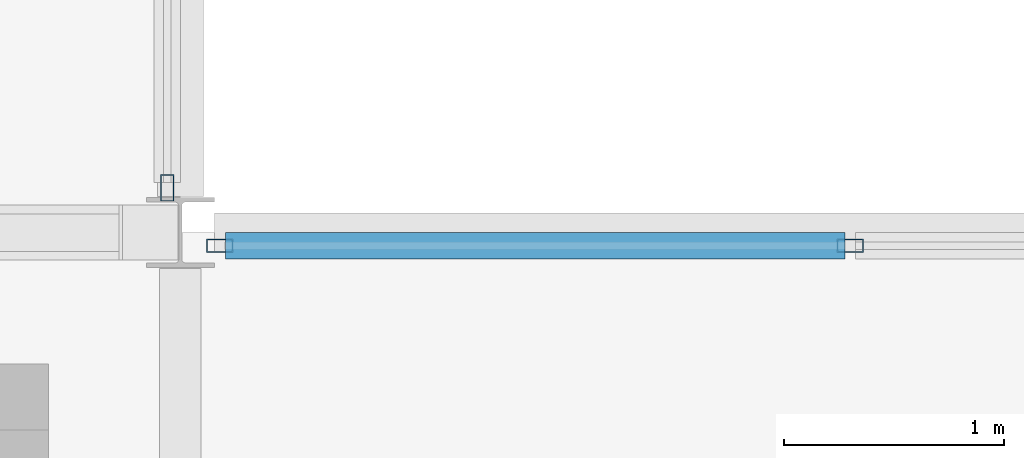
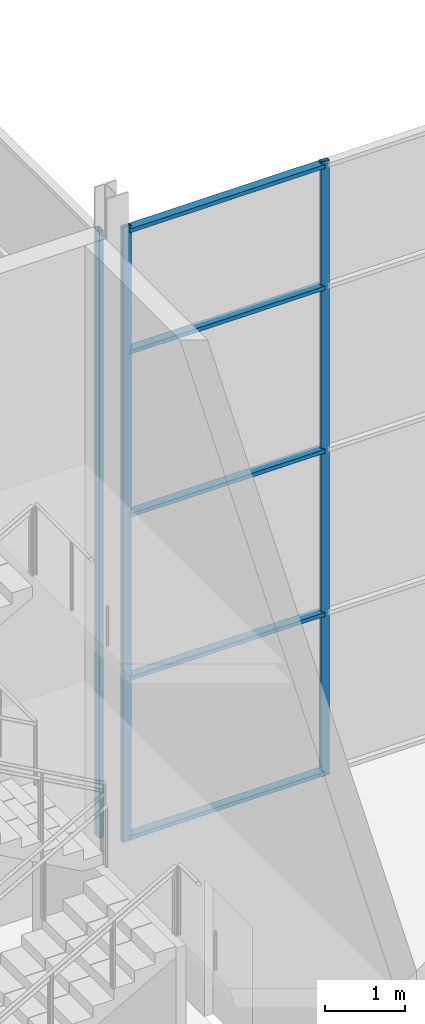
# One storey, part 15 of 111: 8 members, 2 elements without a shape of their own.
"""IFC4 building model written with IfcOpenShell, lengths in metres."""

from ifc_helpers import new_model, si_unit, direction, frame, origin, origin_2d, place, context, subcontext, project, spatial, hollow_rectangle, extrude, material, layer, layer_set, material_profile, profile_set, type_object, element, aggregate, save


model = new_model("IFC4")

# Units and contexts
model_context = context("Model", 3, precision=1e-05, world=origin(), true_north=direction((0.0, 1.0)))
body_context = subcontext(model_context, "Body", "Model", "MODEL_VIEW")
ifc_project = project(units=[si_unit("LENGTHUNIT", "METRE"), si_unit("AREAUNIT", "SQUARE_METRE"), si_unit("VOLUMEUNIT", "CUBIC_METRE"), si_unit("PLANEANGLEUNIT", "RADIAN"), si_unit("MASSUNIT", "GRAM", prefix="KILO")], contexts=[model_context])

# Site, building, storey
site_placement = place(None, origin())
site = spatial("IfcSite", under=ifc_project, at=site_placement, CompositionType="ELEMENT")
building_placement = place(site_placement, origin())
building = spatial("IfcBuilding", under=site, at=building_placement, Name="Shorebreak Coast Museum", CompositionType="ELEMENT")
storey_placement = place(building_placement, frame((0.0, 0.0, 16.0)))
storey = spatial("IfcBuildingStorey", under=building, at=storey_placement, Name="L03", CompositionType="ELEMENT", Elevation=16.0)

# Curtain wall, members
ifc_material_1 = material(Name="Aluminium", Category="aluminium")
ifc_layer = layer(ifc_material_1, 0.1201171875)
ifc_layer_set = layer_set([ifc_layer], Name="Aluminium")
curtain_wall_type = type_object("IfcCurtainWallType", Name="Atrium fire screen", PredefinedType="NOTDEFINED", material=ifc_layer_set)
curtain_wall_1_placement = place(storey_placement, origin())
curtain_wall_1 = element("IfcCurtainWall", 1, at=curtain_wall_1_placement, inside=storey, type_object=curtain_wall_type, Name="Atrium screen L03 S 33", PredefinedType="NOTDEFINED")
ifc_material_2 = material(Name="Aluminium", Category="aluminium")
ifc_material_profile_1 = material_profile(ifc_material_2, hollow_rectangle(XDim=0.06005859375, YDim=0.1201171875, WallThickness=0.00341796875, at=origin_2d()), Name="AL 120x60 RHS")
ifc_profile_set_1 = profile_set([ifc_material_profile_1], Name="Aluminium")
member_type_1 = type_object("IfcMemberType", Name="Screen mullion 50 x 120", PredefinedType="MULLION", material=ifc_profile_set_1)
member_1_placement = place(storey_placement, frame((63.179443359375, 62.93994140625, 0.0), z_axis=(0.0, 0.0, 1.0), x_axis=(0.0, 1.0, 0.0)))
member_1 = element("IfcMember", 2, at=member_1_placement, type_object=member_type_1, Name="CW4 mullion 1", PredefinedType="MULLION", context=body_context, shape_type="SweptSolid", body=[
    extrude(hollow_rectangle(XDim=0.06005859375, YDim=0.1201171875, WallThickness=0.00341796875, at=origin_2d()), origin(), (0.0, 0.0, 1.0), 9.42236328125),
])
member_2_placement = place(storey_placement, frame((66.051513671875, 62.93994140625, 0.0), z_axis=(0.0, 0.0, 1.0), x_axis=(0.0, 1.0, 0.0)))
member_2 = element("IfcMember", 3, at=member_2_placement, type_object=member_type_1, Name="CW4 mullion 2", PredefinedType="MULLION", context=body_context, shape_type="SweptSolid", body=[
    extrude(hollow_rectangle(XDim=0.06005859375, YDim=0.1201171875, WallThickness=0.00341796875, at=origin_2d()), origin(), (0.0, 0.0, 1.0), 9.42236328125),
])

# Curtain wall, member
curtain_wall_2_placement = place(storey_placement, origin())
curtain_wall_2 = element("IfcCurtainWall", 4, at=curtain_wall_2_placement, inside=storey, type_object=curtain_wall_type, Name="Atrium screen L03 W 45", PredefinedType="NOTDEFINED")
member_3_placement = place(storey_placement, frame((62.93994140625, 63.203369140625, 0.0), z_axis=(0.0, 0.0, 1.0), x_axis=(-1.0, 0.0, 0.0)))
member_3 = element("IfcMember", 5, at=member_3_placement, type_object=member_type_1, Name="CW4 mullion 1", PredefinedType="MULLION", context=body_context, shape_type="SweptSolid", body=[
    extrude(hollow_rectangle(XDim=0.06005859375, YDim=0.1201171875, WallThickness=0.00341796875, at=origin_2d()), origin(), (0.0, 0.0, 1.0), 9.296875),
])
aggregate(curtain_wall_2, [member_3])

# Member
ifc_material_3 = material(Name="Aluminium", Category="aluminium")
ifc_material_profile_2 = material_profile(ifc_material_3, hollow_rectangle(XDim=0.1201171875, YDim=0.06005859375, WallThickness=0.00341796875, at=origin_2d()), Name="AL 60x120 RHS")
ifc_profile_set_2 = profile_set([ifc_material_profile_2], Name="Aluminium")
member_type_2 = type_object("IfcMemberType", Name="Screen transom 120 x 50", PredefinedType="USERDEFINED", material=ifc_profile_set_2)
member_4_placement = place(storey_placement, frame((63.20458984375, 62.93994140625, 0.06005859375), z_axis=(1.0, 0.0, 0.0), x_axis=(0.0, 1.0, 0.0)))
member_4 = element("IfcMember", 6, at=member_4_placement, type_object=member_type_2, Name="CW4 transom 1.1", ObjectType="TRANSOM", PredefinedType="USERDEFINED", context=body_context, shape_type="SweptSolid", body=[
    extrude(hollow_rectangle(XDim=0.1201171875, YDim=0.06005859375, WallThickness=0.00341796875, at=origin_2d()), origin(), (0.0, 0.0, 1.0), 2.822021484375),
])

member_5_placement = place(storey_placement, frame((63.20458984375, 62.93994140625, 2.5), z_axis=(1.0, 0.0, 0.0), x_axis=(0.0, 1.0, 0.0)))
member_5 = element("IfcMember", 7, at=member_5_placement, type_object=member_type_2, Name="CW4 transom 1.2", ObjectType="TRANSOM", PredefinedType="USERDEFINED", context=body_context, shape_type="SweptSolid", body=[
    extrude(hollow_rectangle(XDim=0.1201171875, YDim=0.06005859375, WallThickness=0.00341796875, at=origin_2d()), origin(), (0.0, 0.0, 1.0), 2.822021484375),
])

member_6_placement = place(storey_placement, frame((63.20458984375, 62.93994140625, 5.0), z_axis=(1.0, 0.0, 0.0), x_axis=(0.0, 1.0, 0.0)))
member_6 = element("IfcMember", 8, at=member_6_placement, type_object=member_type_2, Name="CW4 transom 1.3", ObjectType="TRANSOM", PredefinedType="USERDEFINED", context=body_context, shape_type="SweptSolid", body=[
    extrude(hollow_rectangle(XDim=0.1201171875, YDim=0.06005859375, WallThickness=0.00341796875, at=origin_2d()), origin(), (0.0, 0.0, 1.0), 2.822021484375),
])

member_7_placement = place(storey_placement, frame((63.20458984375, 62.93994140625, 7.5), z_axis=(1.0, 0.0, 0.0), x_axis=(0.0, 1.0, 0.0)))
member_7 = element("IfcMember", 9, at=member_7_placement, type_object=member_type_2, Name="CW4 transom 1.4", ObjectType="TRANSOM", PredefinedType="USERDEFINED", context=body_context, shape_type="SweptSolid", body=[
    extrude(hollow_rectangle(XDim=0.1201171875, YDim=0.06005859375, WallThickness=0.00341796875, at=origin_2d()), origin(), (0.0, 0.0, 1.0), 2.822021484375),
])

member_8_placement = place(storey_placement, frame((63.20458984375, 62.93994140625, 9.3623046875), z_axis=(1.0, 0.0, 0.0), x_axis=(0.0, 1.0, 0.0)))
member_8 = element("IfcMember", 10, at=member_8_placement, type_object=member_type_2, Name="CW4 transom 1.5", ObjectType="TRANSOM", PredefinedType="USERDEFINED", context=body_context, shape_type="SweptSolid", body=[
    extrude(hollow_rectangle(XDim=0.1201171875, YDim=0.06005859375, WallThickness=0.00341796875, at=origin_2d()), origin(), (0.0, 0.0, 1.0), 2.822021484375),
])

aggregate(curtain_wall_1, [member_1, member_2, member_4, member_5, member_6, member_7, member_8])

save(model, "model.ifc")
